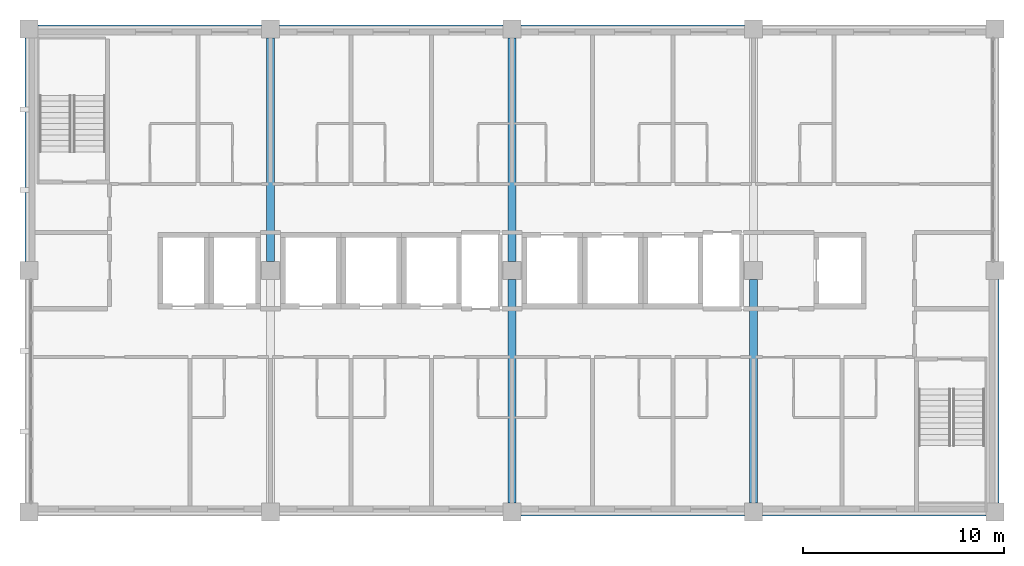
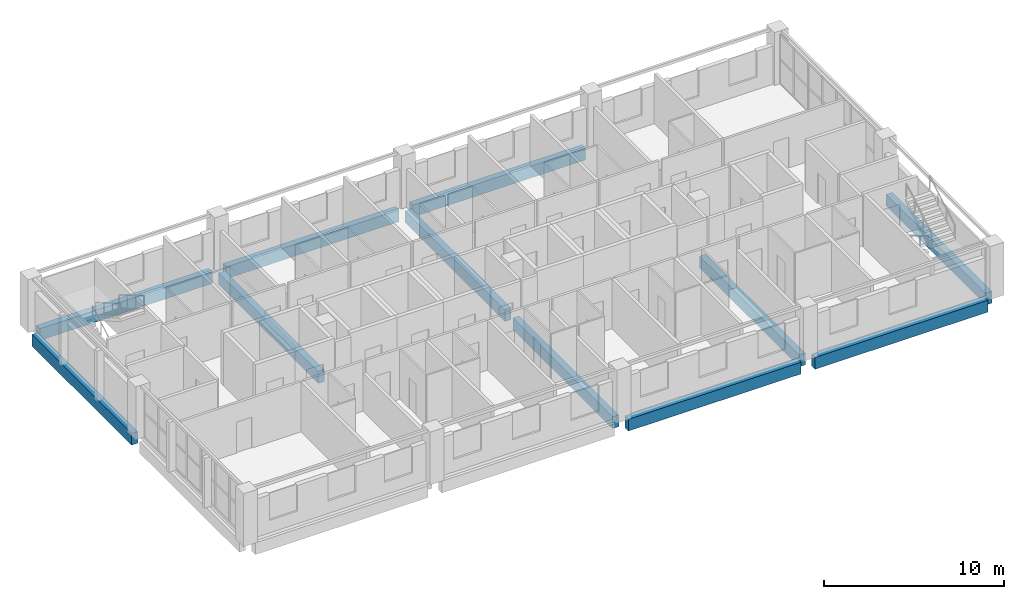
# One storey, part 3 of 11: 11 beams.
"""IFC4 building model written with IfcOpenShell, lengths in metres."""

from ifc_helpers import new_model, si_unit, direction, frame, origin, origin_2d, place, context, subcontext, project, spatial, rectangle, extrude, material, material_profile, profile_set, type_object, element, save


model = new_model("IFC4")

# Units and contexts
model_context = context("Model", 3, precision=1e-05, world=origin(), true_north=direction((0.0, 1.0)))
body_context = subcontext(model_context, "Body", "Model", "MODEL_VIEW")
ifc_project = project(units=[si_unit("LENGTHUNIT", "METRE"), si_unit("AREAUNIT", "SQUARE_METRE"), si_unit("VOLUMEUNIT", "CUBIC_METRE"), si_unit("PLANEANGLEUNIT", "RADIAN"), si_unit("MASSUNIT", "GRAM", prefix="KILO")], contexts=[model_context])

# Site, building, storey
site_placement = place(None, origin())
site = spatial("IfcSite", under=ifc_project, at=site_placement, CompositionType="ELEMENT")
building_placement = place(site_placement, origin())
building = spatial("IfcBuilding", under=site, at=building_placement, Name="Lilac Gate Convention Centre", CompositionType="ELEMENT")
storey_placement = place(building_placement, frame((0.0, 0.0, 28.199951171875)))
storey = spatial("IfcBuildingStorey", under=building, at=storey_placement, Name="L06", CompositionType="ELEMENT", Elevation=28.199951171875)

# Beams
ifc_material = material(Name="Concrete C40", Category="concrete")
ifc_material_profile = material_profile(ifc_material, rectangle(XDim=0.39990234375, YDim=0.800048828125, at=origin_2d()), Name="RC 400x800")
ifc_profile_set = profile_set([ifc_material_profile], Name="Concrete C40")
beam_type = type_object("IfcBeamType", Name="Tower primary beam 400x800 C40", PredefinedType="BEAM", material=ifc_profile_set)
for number, where, z_axis, x_axis, name in (
    (1, (66.449951171875, 222.0, -0.599853515625), (1.0, 0.0, 0.0), (0.0, 1.0, 0.0), "RB3 L06 6/S-7/S"),
    (2, (78.449951171875, 222.0, -0.599853515625), (1.0, 0.0, 0.0), (0.0, 1.0, 0.0), "RB3 L06 7/S-8/S"),
    (3, (42.449951171875, 246.0, -0.599853515625), (1.0, 0.0, 0.0), (0.0, 1.0, 0.0), "RB3 L06 4/U-5/U"),
    (4, (54.449951171875, 246.0, -0.599853515625), (1.0, 0.0, 0.0), (0.0, 1.0, 0.0), "RB3 L06 5/U-6/U"),
    (5, (66.449951171875, 246.0, -0.599853515625), (1.0, 0.0, 0.0), (0.0, 1.0, 0.0), "RB3 L06 6/U-7/U"),
    (6, (42.0, 234.449951171875, -0.599853515625), (0.0, 1.0, 0.0), (-1.0, 0.0, 0.0), "RB3 L06 4/T-4/U"),
    (7, (54.0, 234.449951171875, -0.599853515625), (0.0, 1.0, 0.0), (-1.0, 0.0, 0.0), "RB3 L06 5/T-5/U"),
    (8, (66.0, 222.449951171875, -0.599853515625), (0.0, 1.0, 0.0), (-1.0, 0.0, 0.0), "RB3 L06 6/S-6/T"),
    (9, (66.0, 234.449951171875, -0.599853515625), (0.0, 1.0, 0.0), (-1.0, 0.0, 0.0), "RB3 L06 6/T-6/U"),
    (10, (78.0, 222.449951171875, -0.599853515625), (0.0, 1.0, 0.0), (-1.0, 0.0, 0.0), "RB3 L06 7/S-7/T"),
    (11, (90.0, 222.449951171875, -0.599853515625), (0.0, 1.0, 0.0), (-1.0, 0.0, 0.0), "RB3 L06 8/S-8/T"),
):
    element("IfcBeam", number, at=place(storey_placement, frame(where, z_axis=z_axis, x_axis=x_axis)), inside=storey, type_object=beam_type, Name=name, PredefinedType="BEAM", context=body_context, shape_type="SweptSolid", body=[
        extrude(rectangle(XDim=0.39990234375, YDim=0.800048828125, at=origin_2d()), origin(), (0.0, 0.0, 1.0), 11.10009765625),
    ])

save(model, "model.ifc")
